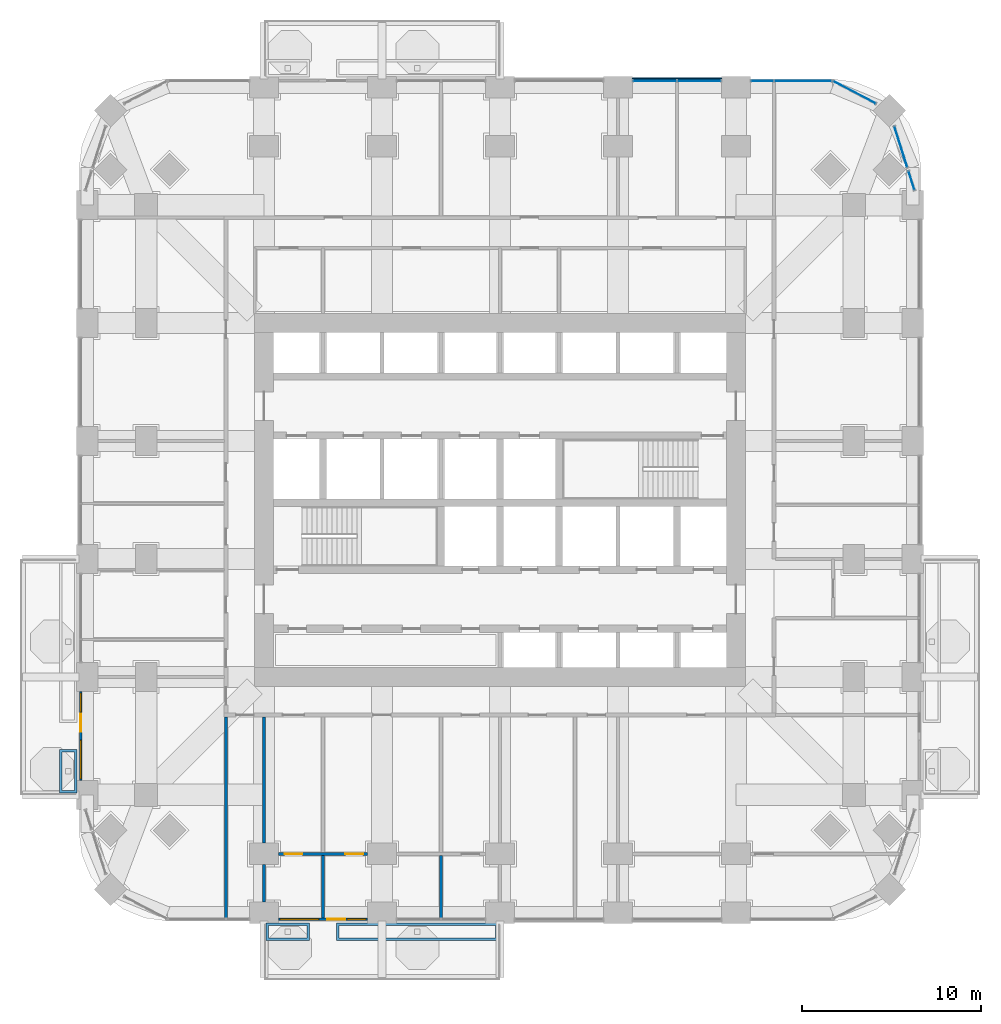
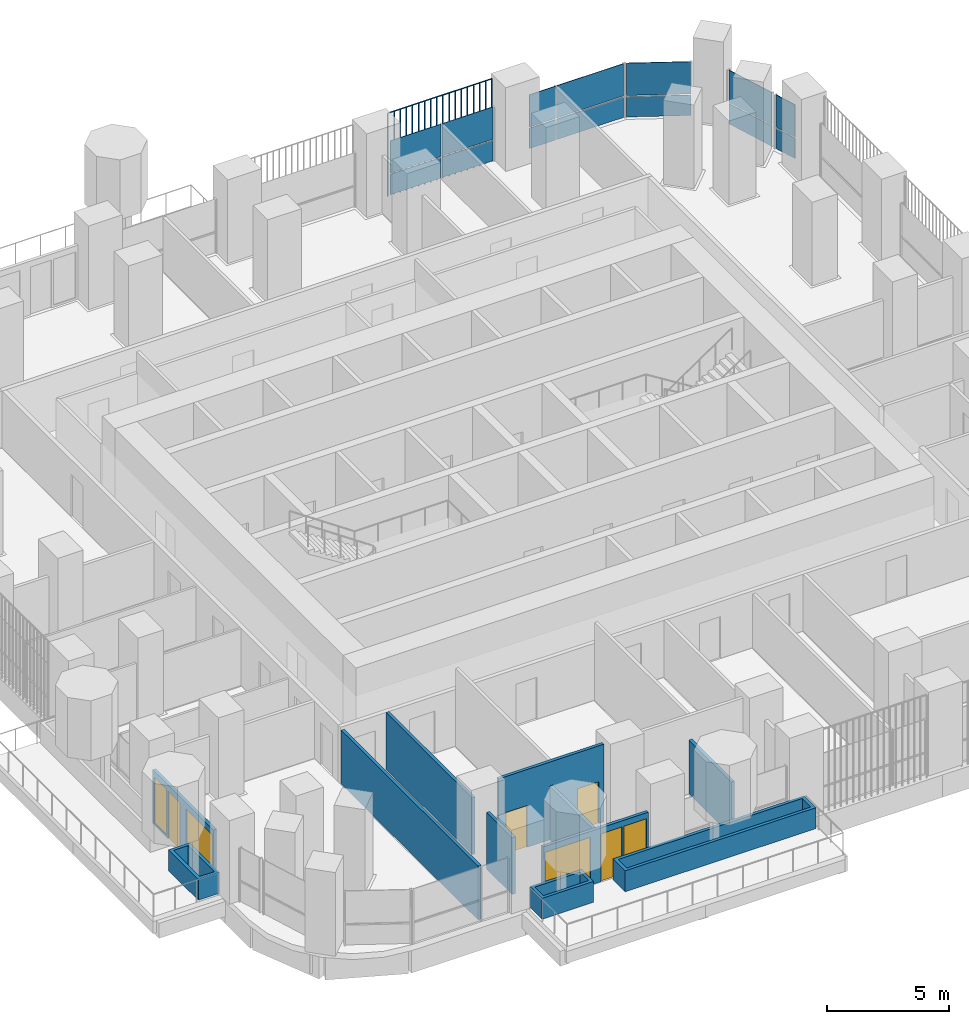
# One storey, part 12 of 21: 15 plates, 11 walls, 4 doors, 4 windows, 8 openings, 5 elements without a shape of their own.
"""IFC4 building model written with IfcOpenShell, lengths in metres."""

from ifc_helpers import new_model, si_unit, direction, frame, frame_2d, origin, origin_2d, place, context, subcontext, project, spatial, polyline, rectangle, outline, extrude, material, layer, layer_set, type_object, element, fill, aggregate, save


model = new_model("IFC4")

# Units and contexts
model_context = context("Model", 3, precision=1e-05, world=origin(), true_north=direction((0.0, 1.0)))
body_context = subcontext(model_context, "Body", "Model", "MODEL_VIEW")
ifc_project = project(units=[si_unit("LENGTHUNIT", "METRE"), si_unit("AREAUNIT", "SQUARE_METRE"), si_unit("VOLUMEUNIT", "CUBIC_METRE"), si_unit("PLANEANGLEUNIT", "RADIAN"), si_unit("MASSUNIT", "GRAM", prefix="KILO")], contexts=[model_context])

# Site, building, storey
site_placement = place(None, origin())
site = spatial("IfcSite", under=ifc_project, at=site_placement, CompositionType="ELEMENT")
building_placement = place(site_placement, origin())
building = spatial("IfcBuilding", under=site, at=building_placement, Name="Cobogo Forest Laboratory Tower", CompositionType="ELEMENT")
storey_placement = place(building_placement, frame((0.0, 0.0, 99.0)))
storey = spatial("IfcBuildingStorey", under=building, at=storey_placement, Name="L22", CompositionType="ELEMENT", Elevation=99.0)

# Curtain wall, plates
ifc_material_1 = material(Name="Aluminium curtain wall", Category="aluminium")
curtain_wall_type = type_object("IfcCurtainWallType", Name="CW-1 unitised curtain wall, clear glazing, laboratory floors zones A and B", PredefinedType="USERDEFINED", material=ifc_material_1)
curtain_wall_1_placement = place(storey_placement, origin())
curtain_wall_1 = element("IfcCurtainWall", 1, at=curtain_wall_1_placement, inside=storey, type_object=curtain_wall_type, Name="Curtain wall 15 L22", ObjectType="UNITISED CURTAIN WALL", PredefinedType="USERDEFINED")
ifc_material_2 = material(Name="Clear insulated glass", Category="glass")
ifc_layer_1 = layer(ifc_material_2, 0.028076171875)
ifc_layer_set_1 = layer_set([ifc_layer_1], Name="GP-1 clear insulated glass unit 28")
plate_type_1 = type_object("IfcPlateType", Name="GP-1 clear insulated glass unit 28", PredefinedType="CURTAIN_PANEL", material=ifc_layer_set_1)
plate_1_placement = place(storey_placement, frame((49.41796875, 40.9677734375, 0.0), z_axis=(0.0, 0.0, 1.0), x_axis=(-0.301135667865, 0.953581307252, 0.0)))
plate_1 = element("IfcPlate", 2, at=plate_1_placement, type_object=plate_type_1, Name="CW-1 panel 1.1", PredefinedType="CURTAIN_PANEL", context=body_context, shape_type="SweptSolid", body=[
    extrude(rectangle(XDim=1.071044921875, YDim=0.028076171875, at=origin_2d()), origin(), (0.0, 0.0, 1.0), 1.02001953125),
])
plate_2_placement = place(storey_placement, frame((49.41796875, 40.9677734375, 1.079833984375), z_axis=(0.0, 0.0, 1.0), x_axis=(-0.301135667865, 0.953581307252, 0.0)))
plate_2 = element("IfcPlate", 3, at=plate_2_placement, type_object=plate_type_1, Name="CW-1 panel 1.2", PredefinedType="CURTAIN_PANEL", context=body_context, shape_type="SweptSolid", body=[
    extrude(rectangle(XDim=1.071044921875, YDim=0.028076171875, at=origin_2d()), origin(), (0.0, 0.0, 1.0), 1.6201171875),
])
aggregate(curtain_wall_1, [plate_1, plate_2])

curtain_wall_2_placement = place(storey_placement, origin())
curtain_wall_2 = element("IfcCurtainWall", 4, at=curtain_wall_2_placement, inside=storey, type_object=curtain_wall_type, Name="Curtain wall 16 L22", ObjectType="UNITISED CURTAIN WALL", PredefinedType="USERDEFINED")
plate_3_placement = place(storey_placement, frame((48.8212890625, 42.857421875, 0.0), z_axis=(0.0, 0.0, 1.0), x_axis=(-0.301135291996, 0.953581425949, 0.0)))
plate_3 = element("IfcPlate", 5, at=plate_3_placement, type_object=plate_type_1, Name="CW-1 panel 1.1", PredefinedType="CURTAIN_PANEL", context=body_context, shape_type="SweptSolid", body=[
    extrude(rectangle(XDim=2.3681640625, YDim=0.028076171875, at=origin_2d()), origin(), (0.0, 0.0, 1.0), 1.02001953125),
])
plate_4_placement = place(storey_placement, frame((48.8212890625, 42.857421875, 1.079833984375), z_axis=(0.0, 0.0, 1.0), x_axis=(-0.301135291996, 0.953581425949, 0.0)))
plate_4 = element("IfcPlate", 6, at=plate_4_placement, type_object=plate_type_1, Name="CW-1 panel 1.2", PredefinedType="CURTAIN_PANEL", context=body_context, shape_type="SweptSolid", body=[
    extrude(rectangle(XDim=2.3681640625, YDim=0.028076171875, at=origin_2d()), origin(), (0.0, 0.0, 1.0), 1.6201171875),
])
aggregate(curtain_wall_2, [plate_3, plate_4])

curtain_wall_3_placement = place(storey_placement, origin())
curtain_wall_3 = element("IfcCurtainWall", 7, at=curtain_wall_3_placement, inside=storey, type_object=curtain_wall_type, Name="Curtain wall 17 L22", ObjectType="UNITISED CURTAIN WALL", PredefinedType="USERDEFINED")
plate_5_placement = place(storey_placement, frame((46.229248046875, 45.90576171875, 0.0), z_axis=(0.0, 0.0, 1.0), x_axis=(-0.885686547075, 0.464283685186, 0.0)))
plate_5 = element("IfcPlate", 8, at=plate_5_placement, type_object=plate_type_1, Name="CW-1 panel 1.1", PredefinedType="CURTAIN_PANEL", context=body_context, shape_type="SweptSolid", body=[
    extrude(rectangle(XDim=2.655517578125, YDim=0.028076171875, at=origin_2d()), origin(), (0.0, 0.0, 1.0), 1.02001953125),
])
plate_6_placement = place(storey_placement, frame((46.229248046875, 45.90576171875, 1.079833984375), z_axis=(0.0, 0.0, 1.0), x_axis=(-0.885686547075, 0.464283685186, 0.0)))
plate_6 = element("IfcPlate", 9, at=plate_6_placement, type_object=plate_type_1, Name="CW-1 panel 1.2", PredefinedType="CURTAIN_PANEL", context=body_context, shape_type="SweptSolid", body=[
    extrude(rectangle(XDim=2.655517578125, YDim=0.028076171875, at=origin_2d()), origin(), (0.0, 0.0, 1.0), 1.6201171875),
])
aggregate(curtain_wall_3, [plate_5, plate_6])

curtain_wall_4_placement = place(storey_placement, origin())
curtain_wall_4 = element("IfcCurtainWall", 10, at=curtain_wall_4_placement, inside=storey, type_object=curtain_wall_type, Name="Curtain wall 18 L22", ObjectType="UNITISED CURTAIN WALL", PredefinedType="USERDEFINED")
plate_7_placement = place(storey_placement, frame((43.347412109375, 46.550048828125, 0.0), z_axis=(0.0, 0.0, 1.0), x_axis=(-1.0, 0.0, 0.0)))
plate_7 = element("IfcPlate", 11, at=plate_7_placement, type_object=plate_type_1, Name="CW-1 panel 1.1", PredefinedType="CURTAIN_PANEL", context=body_context, shape_type="SweptSolid", body=[
    extrude(rectangle(XDim=3.18505859375, YDim=0.028076171875, at=origin_2d()), origin(), (0.0, 0.0, 1.0), 1.02001953125),
])
plate_8_placement = place(storey_placement, frame((43.347412109375, 46.550048828125, 1.079833984375), z_axis=(0.0, 0.0, 1.0), x_axis=(-1.0, 0.0, 0.0)))
plate_8 = element("IfcPlate", 12, at=plate_8_placement, type_object=plate_type_1, Name="CW-1 panel 1.2", PredefinedType="CURTAIN_PANEL", context=body_context, shape_type="SweptSolid", body=[
    extrude(rectangle(XDim=3.18505859375, YDim=0.028076171875, at=origin_2d()), origin(), (0.0, 0.0, 1.0), 1.6201171875),
])
plate_9_placement = place(storey_placement, frame((41.077392578125, 46.550048828125, 0.0), z_axis=(0.0, 0.0, 1.0), x_axis=(-1.0, 0.0, 0.0)))
plate_9 = element("IfcPlate", 13, at=plate_9_placement, type_object=plate_type_1, Name="CW-1 panel 2.1", PredefinedType="CURTAIN_PANEL", context=body_context, shape_type="SweptSolid", body=[
    extrude(rectangle(XDim=1.235107421875, YDim=0.028076171875, at=origin_2d()), origin(), (0.0, 0.0, 1.0), 1.02001953125),
])
plate_10_placement = place(storey_placement, frame((41.077392578125, 46.550048828125, 1.079833984375), z_axis=(0.0, 0.0, 1.0), x_axis=(-1.0, 0.0, 0.0)))
plate_10 = element("IfcPlate", 14, at=plate_10_placement, type_object=plate_type_1, Name="CW-1 panel 2.2", PredefinedType="CURTAIN_PANEL", context=body_context, shape_type="SweptSolid", body=[
    extrude(rectangle(XDim=1.235107421875, YDim=0.028076171875, at=origin_2d()), origin(), (0.0, 0.0, 1.0), 1.6201171875),
])
aggregate(curtain_wall_4, [plate_7, plate_8, plate_9, plate_10])

curtain_wall_5_placement = place(storey_placement, origin())
curtain_wall_5 = element("IfcCurtainWall", 15, at=curtain_wall_5_placement, inside=storey, type_object=curtain_wall_type, Name="Curtain wall 19 L22", ObjectType="UNITISED CURTAIN WALL", PredefinedType="USERDEFINED")
plate_11_placement = place(storey_placement, frame((37.534912109375, 46.550048828125, 0.0), z_axis=(0.0, 0.0, 1.0), x_axis=(-1.0, 0.0, 0.0)))
plate_11 = element("IfcPlate", 16, at=plate_11_placement, type_object=plate_type_1, Name="CW-1 panel 1.1", PredefinedType="CURTAIN_PANEL", context=body_context, shape_type="SweptSolid", body=[
    extrude(rectangle(XDim=2.409912109375, YDim=0.028076171875, at=origin_2d()), origin(), (0.0, 0.0, 1.0), 1.02001953125),
])
plate_12_placement = place(storey_placement, frame((37.534912109375, 46.550048828125, 1.079833984375), z_axis=(0.0, 0.0, 1.0), x_axis=(-1.0, 0.0, 0.0)))
plate_12 = element("IfcPlate", 17, at=plate_12_placement, type_object=plate_type_1, Name="CW-1 panel 1.2", PredefinedType="CURTAIN_PANEL", context=body_context, shape_type="SweptSolid", body=[
    extrude(rectangle(XDim=2.409912109375, YDim=0.028076171875, at=origin_2d()), origin(), (0.0, 0.0, 1.0), 1.6201171875),
])
plate_13_placement = place(storey_placement, frame((35.06494140625, 46.550048828125, 0.0), z_axis=(0.0, 0.0, 1.0), x_axis=(-1.0, 0.0, 0.0)))
plate_13 = element("IfcPlate", 18, at=plate_13_placement, type_object=plate_type_1, Name="CW-1 panel 2.1", PredefinedType="CURTAIN_PANEL", context=body_context, shape_type="SweptSolid", body=[
    extrude(rectangle(XDim=2.409912109375, YDim=0.028076171875, at=origin_2d()), origin(), (0.0, 0.0, 1.0), 1.02001953125),
])
plate_14_placement = place(storey_placement, frame((35.06494140625, 46.550048828125, 1.079833984375), z_axis=(0.0, 0.0, 1.0), x_axis=(-1.0, 0.0, 0.0)))
plate_14 = element("IfcPlate", 19, at=plate_14_placement, type_object=plate_type_1, Name="CW-1 panel 2.2", PredefinedType="CURTAIN_PANEL", context=body_context, shape_type="SweptSolid", body=[
    extrude(rectangle(XDim=2.409912109375, YDim=0.028076171875, at=origin_2d()), origin(), (0.0, 0.0, 1.0), 1.6201171875),
])
aggregate(curtain_wall_5, [plate_11, plate_12, plate_13, plate_14])

# Plate
ifc_material_3 = material(Name="Terracotta", Category="masonry")
plate_type_2 = type_object("IfcPlateType", Name="TB1 terracotta baguette screen", PredefinedType="USERDEFINED", material=ifc_material_3)
plate_15_placement = place(storey_placement, frame((33.831298828125, 46.677978515625, -0.14990234375)))
element("IfcPlate", 20, at=plate_15_placement, inside=storey, type_object=plate_type_2, Name="Baguette screen N4 L22", ObjectType="BAGUETTE SCREEN", PredefinedType="USERDEFINED", context=body_context, shape_type="SweptSolid", body=[
    extrude(outline(polyline([(0.02880859375, 0.011962890625), (0.011962890625, 0.02880859375), (-0.011962890625, 0.02880859375), (-0.02880859375, 0.011962890625), (-0.02880859375, -0.011962890625), (-0.011962890625, -0.02880859375), (0.011962890625, -0.02880859375), (0.02880859375, -0.011962890625), (0.02880859375, 0.011962890625)])), frame((0.0, 0.0, 4.168701171875), z_axis=(1.0, 0.0, 0.0), x_axis=(0.0, 1.0, 0.0)), (0.0, 0.0, 1.0), 4.9375),
    extrude(outline(polyline([(0.02880859375, 0.011962890625), (0.011962890625, 0.02880859375), (-0.011962890625, 0.02880859375), (-0.02880859375, 0.011962890625), (-0.02880859375, -0.011962890625), (-0.011962890625, -0.02880859375), (0.011962890625, -0.02880859375), (0.02880859375, -0.011962890625), (0.02880859375, 0.011962890625)])), origin(), (0.0, 0.0, 1.0), 4.137451171875),
    extrude(outline(polyline([(0.02880859375, 0.011962890625), (0.011962890625, 0.02880859375), (-0.011962890625, 0.02880859375), (-0.02880859375, 0.011962890625), (-0.02880859375, -0.011962890625), (-0.011962890625, -0.02880859375), (0.011962890625, -0.02880859375), (0.02880859375, -0.011962890625), (0.02880859375, 0.011962890625)])), frame((0.29052734375, 0.0, 0.0)), (0.0, 0.0, 1.0), 4.137451171875),
    extrude(outline(polyline([(0.02880859375, 0.011962890625), (0.011962890625, 0.02880859375), (-0.011962890625, 0.02880859375), (-0.02880859375, 0.011962890625), (-0.02880859375, -0.011962890625), (-0.011962890625, -0.02880859375), (0.011962890625, -0.02880859375), (0.02880859375, -0.011962890625), (0.02880859375, 0.011962890625)])), frame((0.580810546875, 0.0, 0.0)), (0.0, 0.0, 1.0), 4.137451171875),
    extrude(outline(polyline([(0.02880859375, 0.011962890625), (0.011962890625, 0.02880859375), (-0.011962890625, 0.02880859375), (-0.02880859375, 0.011962890625), (-0.02880859375, -0.011962890625), (-0.011962890625, -0.02880859375), (0.011962890625, -0.02880859375), (0.02880859375, -0.011962890625), (0.02880859375, 0.011962890625)])), frame((0.871337890625, 0.0, 0.0)), (0.0, 0.0, 1.0), 4.137451171875),
    extrude(outline(polyline([(0.02880859375, 0.011962890625), (0.011962890625, 0.02880859375), (-0.011962890625, 0.02880859375), (-0.02880859375, 0.011962890625), (-0.02880859375, -0.011962890625), (-0.011962890625, -0.02880859375), (0.011962890625, -0.02880859375), (0.02880859375, -0.011962890625), (0.02880859375, 0.011962890625)])), frame((1.161865234375, 0.0, 0.0)), (0.0, 0.0, 1.0), 4.137451171875),
    extrude(outline(polyline([(0.02880859375, 0.011962890625), (0.011962890625, 0.02880859375), (-0.011962890625, 0.02880859375), (-0.02880859375, 0.011962890625), (-0.02880859375, -0.011962890625), (-0.011962890625, -0.02880859375), (0.011962890625, -0.02880859375), (0.02880859375, -0.011962890625), (0.02880859375, 0.011962890625)])), frame((1.4521484375, 0.0, 0.0)), (0.0, 0.0, 1.0), 4.137451171875),
    extrude(outline(polyline([(0.02880859375, 0.011962890625), (0.011962890625, 0.02880859375), (-0.011962890625, 0.02880859375), (-0.02880859375, 0.011962890625), (-0.02880859375, -0.011962890625), (-0.011962890625, -0.02880859375), (0.011962890625, -0.02880859375), (0.02880859375, -0.011962890625), (0.02880859375, 0.011962890625)])), frame((1.74267578125, 0.0, 0.0)), (0.0, 0.0, 1.0), 4.137451171875),
    extrude(outline(polyline([(0.02880859375, 0.011962890625), (0.011962890625, 0.02880859375), (-0.011962890625, 0.02880859375), (-0.02880859375, 0.011962890625), (-0.02880859375, -0.011962890625), (-0.011962890625, -0.02880859375), (0.011962890625, -0.02880859375), (0.02880859375, -0.011962890625), (0.02880859375, 0.011962890625)])), frame((2.033203125, 0.0, 0.0)), (0.0, 0.0, 1.0), 4.137451171875),
    extrude(outline(polyline([(0.02880859375, 0.011962890625), (0.011962890625, 0.02880859375), (-0.011962890625, 0.02880859375), (-0.02880859375, 0.011962890625), (-0.02880859375, -0.011962890625), (-0.011962890625, -0.02880859375), (0.011962890625, -0.02880859375), (0.02880859375, -0.011962890625), (0.02880859375, 0.011962890625)])), frame((2.323486328125, 0.0, 0.0)), (0.0, 0.0, 1.0), 4.137451171875),
    extrude(outline(polyline([(0.02880859375, 0.011962890625), (0.011962890625, 0.02880859375), (-0.011962890625, 0.02880859375), (-0.02880859375, 0.011962890625), (-0.02880859375, -0.011962890625), (-0.011962890625, -0.02880859375), (0.011962890625, -0.02880859375), (0.02880859375, -0.011962890625), (0.02880859375, 0.011962890625)])), frame((2.614013671875, 0.0, 0.0)), (0.0, 0.0, 1.0), 4.137451171875),
    extrude(outline(polyline([(0.02880859375, 0.011962890625), (0.011962890625, 0.02880859375), (-0.011962890625, 0.02880859375), (-0.02880859375, 0.011962890625), (-0.02880859375, -0.011962890625), (-0.011962890625, -0.02880859375), (0.011962890625, -0.02880859375), (0.02880859375, -0.011962890625), (0.02880859375, 0.011962890625)])), frame((2.904296875, 0.0, 0.0)), (0.0, 0.0, 1.0), 4.137451171875),
    extrude(outline(polyline([(0.02880859375, 0.011962890625), (0.011962890625, 0.02880859375), (-0.011962890625, 0.02880859375), (-0.02880859375, 0.011962890625), (-0.02880859375, -0.011962890625), (-0.011962890625, -0.02880859375), (0.011962890625, -0.02880859375), (0.02880859375, -0.011962890625), (0.02880859375, 0.011962890625)])), frame((3.19482421875, 0.0, 0.0)), (0.0, 0.0, 1.0), 4.137451171875),
    extrude(outline(polyline([(0.02880859375, 0.011962890625), (0.011962890625, 0.02880859375), (-0.011962890625, 0.02880859375), (-0.02880859375, 0.011962890625), (-0.02880859375, -0.011962890625), (-0.011962890625, -0.02880859375), (0.011962890625, -0.02880859375), (0.02880859375, -0.011962890625), (0.02880859375, 0.011962890625)])), frame((3.4853515625, 0.0, 0.0)), (0.0, 0.0, 1.0), 4.137451171875),
    extrude(outline(polyline([(0.02880859375, 0.011962890625), (0.011962890625, 0.02880859375), (-0.011962890625, 0.02880859375), (-0.02880859375, 0.011962890625), (-0.02880859375, -0.011962890625), (-0.011962890625, -0.02880859375), (0.011962890625, -0.02880859375), (0.02880859375, -0.011962890625), (0.02880859375, 0.011962890625)])), frame((3.775634765625, 0.0, 0.0)), (0.0, 0.0, 1.0), 4.137451171875),
    extrude(outline(polyline([(0.02880859375, 0.011962890625), (0.011962890625, 0.02880859375), (-0.011962890625, 0.02880859375), (-0.02880859375, 0.011962890625), (-0.02880859375, -0.011962890625), (-0.011962890625, -0.02880859375), (0.011962890625, -0.02880859375), (0.02880859375, -0.011962890625), (0.02880859375, 0.011962890625)])), frame((4.066162109375, 0.0, 0.0)), (0.0, 0.0, 1.0), 4.137451171875),
    extrude(outline(polyline([(0.02880859375, 0.011962890625), (0.011962890625, 0.02880859375), (-0.011962890625, 0.02880859375), (-0.02880859375, 0.011962890625), (-0.02880859375, -0.011962890625), (-0.011962890625, -0.02880859375), (0.011962890625, -0.02880859375), (0.02880859375, -0.011962890625), (0.02880859375, 0.011962890625)])), frame((4.356689453125, 0.0, 0.0)), (0.0, 0.0, 1.0), 4.137451171875),
    extrude(outline(polyline([(0.02880859375, 0.011962890625), (0.011962890625, 0.02880859375), (-0.011962890625, 0.02880859375), (-0.02880859375, 0.011962890625), (-0.02880859375, -0.011962890625), (-0.011962890625, -0.02880859375), (0.011962890625, -0.02880859375), (0.02880859375, -0.011962890625), (0.02880859375, 0.011962890625)])), frame((4.64697265625, 0.0, 0.0)), (0.0, 0.0, 1.0), 4.137451171875),
    extrude(outline(polyline([(0.02880859375, 0.011962890625), (0.011962890625, 0.02880859375), (-0.011962890625, 0.02880859375), (-0.02880859375, 0.011962890625), (-0.02880859375, -0.011962890625), (-0.011962890625, -0.02880859375), (0.011962890625, -0.02880859375), (0.02880859375, -0.011962890625), (0.02880859375, 0.011962890625)])), frame((4.9375, 0.0, 0.0)), (0.0, 0.0, 1.0), 4.137451171875),
])

# Wall, openings, door, windows
ifc_material_4 = material(Name="Aluminium framed glazed screen", Category="aluminium")
ifc_layer_2 = layer(ifc_material_4, 0.14990234375)
ifc_layer_set_2 = layer_set([ifc_layer_2], Name="GS1 glazed door screen 150")
wall_type_1 = type_object("IfcWallType", Name="GS1 glazed door screen 150", PredefinedType="SOLIDWALL", material=ifc_layer_set_2)
wall_1_placement = place(storey_placement, frame((14.0, -0.35009765625, 0.0), z_axis=(0.0, 0.0, 1.0), x_axis=(1.0, 0.0, 0.0)))
wall_1 = element("IfcWall", 21, at=wall_1_placement, inside=storey, type_object=wall_type_1, Name="Door screen BAL-S1 L22", PredefinedType="SOLIDWALL", context=body_context, shape_type="SweptSolid", body=[
    extrude(rectangle(XDim=5.0, YDim=0.14990234375, at=frame_2d((2.5, 0.0))), origin(), (0.0, 0.0, 1.0), 2.699951171875),
])
opening_1_placement = place(wall_1_placement, frame((2.75, 0.0, 0.0)))
opening_1 = element("IfcOpeningElement", 22, at=opening_1_placement, cuts=wall_1, Name="Opening L22-D01", PredefinedType="OPENING", context=body_context, shape_type="SweptSolid", body=[
    extrude(rectangle(XDim=1.0, YDim=2.39990234375, at=frame_2d((0.5, 1.199951171875))), frame((0.0, 0.0849609375, 0.0), z_axis=(0.0, -1.0, 0.0), x_axis=(1.0, 0.0, 0.0)), (0.0, 0.0, 1.0), 0.169921875),
])
opening_2_placement = place(wall_1_placement, frame((0.10009765625, 0.0, 0.10009765625)))
opening_2 = element("IfcOpeningElement", 23, at=opening_2_placement, cuts=wall_1, Name="Opening L22-W01", PredefinedType="OPENING", context=body_context, shape_type="SweptSolid", body=[
    extrude(rectangle(XDim=2.14990234375, YDim=2.300048828125, at=frame_2d((1.074951171875, 1.14990234375))), frame((0.0, 0.0849609375, 0.0), z_axis=(0.0, -1.0, 0.0), x_axis=(1.0, 0.0, 0.0)), (0.0, 0.0, 1.0), 0.169921875),
])
opening_3_placement = place(wall_1_placement, frame((3.85009765625, 0.0, 0.10009765625)))
opening_3 = element("IfcOpeningElement", 24, at=opening_3_placement, cuts=wall_1, Name="Opening L22-W02", PredefinedType="OPENING", context=body_context, shape_type="SweptSolid", body=[
    extrude(rectangle(XDim=1.050048828125, YDim=2.300048828125, at=frame_2d((0.52490234375, 1.14990234375))), frame((0.0, 0.0849609375, 0.0), z_axis=(0.0, -1.0, 0.0), x_axis=(1.0, 0.0, 0.0)), (0.0, 0.0, 1.0), 0.169921875),
])
ifc_material_5 = material(Name="Aluminium glazed door", Category="aluminium")
door_type_1 = type_object("IfcDoorType", Name="DB1 balcony door 1000 glazed", OperationType="SINGLE_SWING_LEFT", PredefinedType="DOOR", material=ifc_material_5)
door_1_placement = place(opening_1_placement, origin())
door_1 = element("IfcDoor", 25, at=door_1_placement, inside=storey, type_object=door_type_1, Name="Door L22-BAL-S1", OperationType="SINGLE_SWING_RIGHT", OverallHeight=2.39990234375, OverallWidth=1.0, PredefinedType="DOOR", context=body_context, shape_type="SweptSolid", body=[
    extrude(rectangle(XDim=1.0, YDim=2.39990234375, at=frame_2d((0.5, 1.199951171875))), frame((0.0, 0.02490234375, 0.0), z_axis=(0.0, -1.0, 0.0), x_axis=(1.0, 0.0, 0.0)), (0.0, 0.0, 1.0), 0.050048828125),
])
fill(opening_1, door_1)
ifc_material_6 = material(Name="Aluminium framed glazing", Category="aluminium")
window_type_1 = type_object("IfcWindowType", Name="WG13 fixed glazed light 2150x2300", PartitioningType="SINGLE_PANEL", PredefinedType="WINDOW", material=ifc_material_6)
window_1_placement = place(opening_2_placement, origin())
window_1 = element("IfcWindow", 26, at=window_1_placement, inside=storey, type_object=window_type_1, Name="Window L22-BAL-S1-1", OverallHeight=2.300048828125, OverallWidth=2.14990234375, PartitioningType="SINGLE_PANEL", PredefinedType="WINDOW", context=body_context, shape_type="SweptSolid", body=[
    extrude(rectangle(XDim=2.14990234375, YDim=2.300048828125, at=frame_2d((1.074951171875, 1.14990234375))), frame((0.0, 0.030029296875, 0.0), z_axis=(0.0, -1.0, 0.0), x_axis=(1.0, 0.0, 0.0)), (0.0, 0.0, 1.0), 0.06005859375),
])
fill(opening_2, window_1)
window_type_2 = type_object("IfcWindowType", Name="WG14 fixed glazed light 1050x2300", PartitioningType="SINGLE_PANEL", PredefinedType="WINDOW", material=ifc_material_6)
window_2_placement = place(opening_3_placement, origin())
window_2 = element("IfcWindow", 27, at=window_2_placement, inside=storey, type_object=window_type_2, Name="Window L22-BAL-S1-2", OverallHeight=2.300048828125, OverallWidth=1.050048828125, PartitioningType="SINGLE_PANEL", PredefinedType="WINDOW", context=body_context, shape_type="SweptSolid", body=[
    extrude(rectangle(XDim=1.050048828125, YDim=2.300048828125, at=frame_2d((0.52490234375, 1.14990234375))), frame((0.0, 0.030029296875, 0.0), z_axis=(0.0, -1.0, 0.0), x_axis=(1.0, 0.0, 0.0)), (0.0, 0.0, 1.0), 0.06005859375),
])
fill(opening_3, window_2)

wall_2_placement = place(storey_placement, frame((2.949951171875, 12.39990234375, 0.0), z_axis=(0.0, 0.0, 1.0), x_axis=(0.0, -1.0, 0.0)))
wall_2 = element("IfcWall", 28, at=wall_2_placement, inside=storey, type_object=wall_type_1, Name="Door screen BAL-W1 L22", PredefinedType="SOLIDWALL", context=body_context, shape_type="SweptSolid", body=[
    extrude(rectangle(XDim=5.0, YDim=0.14990234375, at=frame_2d((2.5, 0.0))), origin(), (0.0, 0.0, 1.0), 2.699951171875),
])
opening_4_placement = place(wall_2_placement, frame((1.25, 0.0, 0.0)))
opening_4 = element("IfcOpeningElement", 29, at=opening_4_placement, cuts=wall_2, Name="Opening L22-D06", PredefinedType="OPENING", context=body_context, shape_type="SweptSolid", body=[
    extrude(rectangle(XDim=1.0, YDim=2.39990234375, at=frame_2d((0.5, 1.199951171875))), frame((0.0, 0.0849609375, 0.0), z_axis=(0.0, -1.0, 0.0), x_axis=(1.0, 0.0, 0.0)), (0.0, 0.0, 1.0), 0.169921875),
])
opening_5_placement = place(wall_2_placement, frame((0.10009765625, 0.0, 0.10009765625)))
opening_5 = element("IfcOpeningElement", 30, at=opening_5_placement, cuts=wall_2, Name="Opening L22-W05", PredefinedType="OPENING", context=body_context, shape_type="SweptSolid", body=[
    extrude(rectangle(XDim=1.050048828125, YDim=2.300048828125, at=frame_2d((0.52490234375, 1.14990234375))), frame((0.0, 0.0849609375, 0.0), z_axis=(0.0, -1.0, 0.0), x_axis=(1.0, 0.0, 0.0)), (0.0, 0.0, 1.0), 0.169921875),
])
opening_6_placement = place(wall_2_placement, frame((2.75, 0.0, 0.10009765625)))
opening_6 = element("IfcOpeningElement", 31, at=opening_6_placement, cuts=wall_2, Name="Opening L22-W03", PredefinedType="OPENING", context=body_context, shape_type="SweptSolid", body=[
    extrude(rectangle(XDim=2.14990234375, YDim=2.300048828125, at=frame_2d((1.074951171875, 1.14990234375))), frame((0.0, 0.0849609375, 0.0), z_axis=(0.0, -1.0, 0.0), x_axis=(1.0, 0.0, 0.0)), (0.0, 0.0, 1.0), 0.169921875),
])
door_2_placement = place(opening_4_placement, origin())
door_2 = element("IfcDoor", 32, at=door_2_placement, inside=storey, type_object=door_type_1, Name="Door L22-BAL-W1", OperationType="SINGLE_SWING_LEFT", OverallHeight=2.39990234375, OverallWidth=1.0, PredefinedType="DOOR", context=body_context, shape_type="SweptSolid", body=[
    extrude(rectangle(XDim=1.0, YDim=2.39990234375, at=frame_2d((0.5, 1.199951171875))), frame((0.0, 0.02490234375, 0.0), z_axis=(0.0, -1.0, 0.0), x_axis=(1.0, 0.0, 0.0)), (0.0, 0.0, 1.0), 0.050048828125),
])
fill(opening_4, door_2)
window_3_placement = place(opening_6_placement, origin())
window_3 = element("IfcWindow", 33, at=window_3_placement, inside=storey, type_object=window_type_1, Name="Window L22-BAL-W1-2", OverallHeight=2.300048828125, OverallWidth=2.14990234375, PartitioningType="SINGLE_PANEL", PredefinedType="WINDOW", context=body_context, shape_type="SweptSolid", body=[
    extrude(rectangle(XDim=2.14990234375, YDim=2.300048828125, at=frame_2d((1.074951171875, 1.14990234375))), frame((0.0, 0.030029296875, 0.0), z_axis=(0.0, -1.0, 0.0), x_axis=(1.0, 0.0, 0.0)), (0.0, 0.0, 1.0), 0.06005859375),
])
fill(opening_6, window_3)
window_4_placement = place(opening_5_placement, origin())
window_4 = element("IfcWindow", 34, at=window_4_placement, inside=storey, type_object=window_type_2, Name="Window L22-BAL-W1-1", OverallHeight=2.300048828125, OverallWidth=1.050048828125, PartitioningType="SINGLE_PANEL", PredefinedType="WINDOW", context=body_context, shape_type="SweptSolid", body=[
    extrude(rectangle(XDim=1.050048828125, YDim=2.300048828125, at=frame_2d((0.52490234375, 1.14990234375))), frame((0.0, 0.030029296875, 0.0), z_axis=(0.0, -1.0, 0.0), x_axis=(1.0, 0.0, 0.0)), (0.0, 0.0, 1.0), 0.06005859375),
])
fill(opening_5, window_4)

# Wall
ifc_material_7 = material(Name="Gypsum board on steel studs", Category="steel")
ifc_layer_3 = layer(ifc_material_7, 0.14990234375)
ifc_layer_set_3 = layer_set([ifc_layer_3], Name="PT1 laboratory partition 150")
wall_type_2 = type_object("IfcWallType", Name="PT1 laboratory partition 150", PredefinedType="PARTITIONING", material=ifc_layer_set_3)
wall_3_placement = place(storey_placement, frame((11.074951171875, -0.27001953125, 0.0), z_axis=(0.0, 0.0, 1.0), x_axis=(0.0, 1.0, 0.0)))
element("IfcWall", 35, at=wall_3_placement, inside=storey, type_object=wall_type_2, Name="Partition PW-SW L22", PredefinedType="PARTITIONING", context=body_context, shape_type="SweptSolid", body=[
    extrude(rectangle(XDim=11.2451171875, YDim=0.14990234375, at=frame_2d((5.62255859375, 0.0))), origin(), (0.0, 0.0, 1.0), 2.699951171875),
])

# Wall, openings, doors
wall_4_placement = place(storey_placement, frame((14.0, 3.300048828125, 0.0), z_axis=(0.0, 0.0, 1.0), x_axis=(1.0, 0.0, 0.0)))
wall_4 = element("IfcWall", 36, at=wall_4_placement, inside=storey, type_object=wall_type_2, Name="Partition STRIP-S-1 L22", PredefinedType="PARTITIONING", context=body_context, shape_type="SweptSolid", body=[
    extrude(rectangle(XDim=5.0, YDim=0.14990234375, at=frame_2d((2.5, 0.0))), origin(), (0.0, 0.0, 1.0), 3.89990234375),
])
opening_7_placement = place(wall_4_placement, frame((0.35009765625, 0.0, 0.0)))
opening_7 = element("IfcOpeningElement", 37, at=opening_7_placement, cuts=wall_4, Name="Opening L22-D02", PredefinedType="OPENING", context=body_context, shape_type="SweptSolid", body=[
    extrude(rectangle(XDim=1.0, YDim=2.10009765625, at=frame_2d((0.5, 1.050048828125))), frame((0.0, 0.0849609375, 0.0), z_axis=(0.0, -1.0, 0.0), x_axis=(1.0, 0.0, 0.0)), (0.0, 0.0, 1.0), 0.169921875),
])
opening_8_placement = place(wall_4_placement, frame((3.75, 0.0, 0.0)))
opening_8 = element("IfcOpeningElement", 38, at=opening_8_placement, cuts=wall_4, Name="Opening L22-D03", PredefinedType="OPENING", context=body_context, shape_type="SweptSolid", body=[
    extrude(rectangle(XDim=1.0, YDim=2.10009765625, at=frame_2d((0.5, 1.050048828125))), frame((0.0, 0.0849609375, 0.0), z_axis=(0.0, -1.0, 0.0), x_axis=(1.0, 0.0, 0.0)), (0.0, 0.0, 1.0), 0.169921875),
])
ifc_material_8 = material(Name="Timber fire door", Category="wood")
door_type_2 = type_object("IfcDoorType", Name="FD2 fire door 1000 EI2 30", OperationType="SINGLE_SWING_LEFT", PredefinedType="DOOR", material=ifc_material_8)
door_3_placement = place(opening_7_placement, origin())
door_3 = element("IfcDoor", 39, at=door_3_placement, inside=storey, type_object=door_type_2, Name="Door L22-S2W", OperationType="SINGLE_SWING_LEFT", OverallHeight=2.10009765625, OverallWidth=1.0, PredefinedType="DOOR", context=body_context, shape_type="SweptSolid", body=[
    extrude(rectangle(XDim=1.0, YDim=2.10009765625, at=frame_2d((0.5, 1.050048828125))), frame((0.0, 0.02490234375, 0.0), z_axis=(0.0, -1.0, 0.0), x_axis=(1.0, 0.0, 0.0)), (0.0, 0.0, 1.0), 0.050048828125),
])
fill(opening_7, door_3)
door_4_placement = place(opening_8_placement, origin())
door_4 = element("IfcDoor", 40, at=door_4_placement, inside=storey, type_object=door_type_2, Name="Door L22-S3W", OperationType="SINGLE_SWING_RIGHT", OverallHeight=2.10009765625, OverallWidth=1.0, PredefinedType="DOOR", context=body_context, shape_type="SweptSolid", body=[
    extrude(rectangle(XDim=1.0, YDim=2.10009765625, at=frame_2d((0.5, 1.050048828125))), frame((0.0, 0.02490234375, 0.0), z_axis=(0.0, -1.0, 0.0), x_axis=(1.0, 0.0, 0.0)), (0.0, 0.0, 1.0), 0.050048828125),
])
fill(opening_8, door_4)

# Walls
wall_5_placement = place(storey_placement, frame((13.199951171875, 0.60009765625, 0.0), z_axis=(0.0, 0.0, 1.0), x_axis=(0.0, 1.0, 0.0)))
element("IfcWall", 41, at=wall_5_placement, inside=storey, type_object=wall_type_2, Name="Partition CUT-S13.2-1 L22", PredefinedType="PARTITIONING", context=body_context, shape_type="SweptSolid", body=[
    extrude(rectangle(XDim=2.099853515625, YDim=0.14990234375, at=frame_2d((1.0498046875, 0.0))), origin(), (0.0, 0.0, 1.0), 2.85009765625),
])
wall_6_placement = place(storey_placement, frame((13.199951171875, 3.89990234375, 0.0), z_axis=(0.0, 0.0, 1.0), x_axis=(0.0, 1.0, 0.0)))
element("IfcWall", 42, at=wall_6_placement, inside=storey, type_object=wall_type_2, Name="Partition CUT-S13.2-2 L22", PredefinedType="PARTITIONING", context=body_context, shape_type="SweptSolid", body=[
    extrude(rectangle(XDim=7.0751953125, YDim=0.14990234375, at=frame_2d((3.53759765625, 0.0))), origin(), (0.0, 0.0, 1.0), 2.85009765625),
])
for number, where, z_axis, x_axis, name in (
    (43, (16.5, -0.27001953125, 0.0), (0.0, 0.0, 1.0), (0.0, 1.0, 0.0), "Partition CUT-S16.5a-1 L22"),
    (44, (23.10009765625, -0.27001953125, 0.0), (0.0, 0.0, 1.0), (0.0, 1.0, 0.0), "Partition CUT-S23.1a-1 L22"),
):
    element("IfcWall", number, at=place(storey_placement, frame(where, z_axis=z_axis, x_axis=x_axis)), inside=storey, type_object=wall_type_2, Name=name, PredefinedType="PARTITIONING", context=body_context, shape_type="SweptSolid", body=[
        extrude(rectangle(XDim=3.4951171875, YDim=0.14990234375, at=frame_2d((1.74755859375, 0.0))), origin(), (0.0, 0.0, 1.0), 2.699951171875),
    ])
ifc_material_9 = material(Name="Concrete HA-40 (C40/50)", Category="concrete")
ifc_layer_4 = layer(ifc_material_9, 0.14990234375)
ifc_layer_set_4 = layer_set([ifc_layer_4], Name="Planter box 1000x1050")
wall_type_3 = type_object("IfcWallType", Name="Planter box 1000x1050", PredefinedType="USERDEFINED", material=ifc_layer_set_4)
wall_7_placement = place(storey_placement, origin())
element("IfcWall", 45, at=wall_7_placement, inside=storey, type_object=wall_type_3, Name="Planter BAL-S1-1 L22", ObjectType="PLANTER", PredefinedType="USERDEFINED", context=body_context, shape_type="SweptSolid", body=[
    extrude(outline(polyline([(13.300048828125, -1.550048828125), (15.75, -1.550048828125), (15.75, -0.550048828125), (13.300048828125, -0.550048828125), (13.300048828125, -1.550048828125)]), holes=[polyline([(13.449951171875, -1.39990234375), (15.60009765625, -1.39990234375), (15.60009765625, -0.699951171875), (13.449951171875, -0.699951171875), (13.449951171875, -1.39990234375)])]), origin(), (0.0, 0.0, 1.0), 1.050048828125),
])
wall_8_placement = place(storey_placement, origin())
element("IfcWall", 46, at=wall_8_placement, inside=storey, type_object=wall_type_3, Name="Planter BAL-S1-2 L22", ObjectType="PLANTER", PredefinedType="USERDEFINED", context=body_context, shape_type="SweptSolid", body=[
    extrude(outline(polyline([(17.25, -1.550048828125), (26.300048828125, -1.550048828125), (26.300048828125, -0.550048828125), (17.25, -0.550048828125), (17.25, -1.550048828125)]), holes=[polyline([(17.39990234375, -1.39990234375), (26.14990234375, -1.39990234375), (26.14990234375, -0.699951171875), (17.39990234375, -0.699951171875), (17.39990234375, -1.39990234375)])]), origin(), (0.0, 0.0, 1.0), 1.050048828125),
])
wall_9_placement = place(storey_placement, origin())
element("IfcWall", 47, at=wall_9_placement, inside=storey, type_object=wall_type_3, Name="Planter BAL-W1-1 L22", ObjectType="PLANTER", PredefinedType="USERDEFINED", context=body_context, shape_type="SweptSolid", body=[
    extrude(outline(polyline([(1.75, 6.699951171875), (2.75, 6.699951171875), (2.75, 9.14990234375), (1.75, 9.14990234375), (1.75, 6.699951171875)]), holes=[polyline([(1.89990234375, 6.85009765625), (2.60009765625, 6.85009765625), (2.60009765625, 9.0), (1.89990234375, 9.0), (1.89990234375, 6.85009765625)])]), origin(), (0.0, 0.0, 1.0), 1.050048828125),
])

save(model, "model.ifc")
